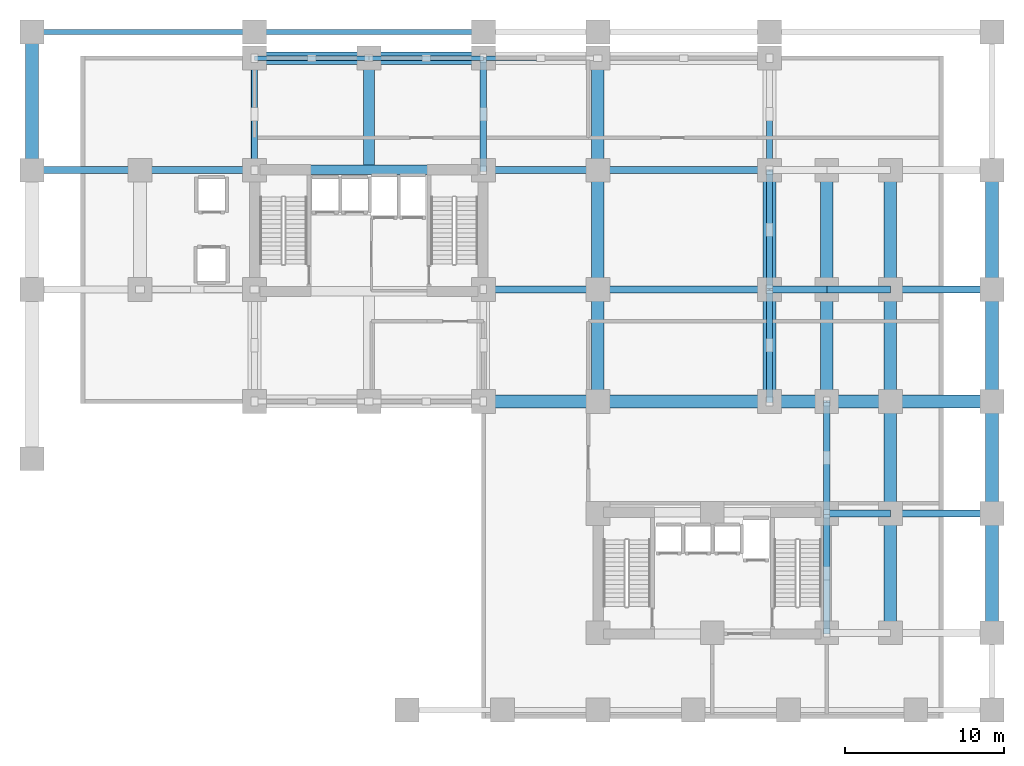
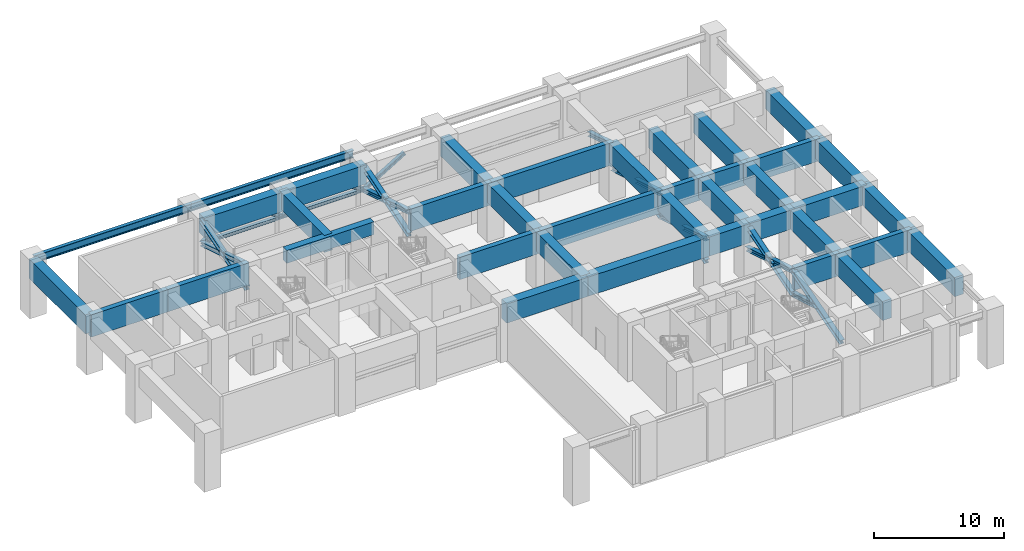
# One storey, part 2 of 9: 38 beams, 25 members.
"""IFC4 building model written with IfcOpenShell, lengths in metres."""

from ifc_helpers import new_model, si_unit, direction, frame, origin, origin_2d, place, context, subcontext, project, spatial, rectangle, i_section, extrude, source, transform, mapped, material, material_profile, profile_set, type_object, element, save


model = new_model("IFC4")

# Units and contexts
model_context = context("Model", 3, precision=1e-05, world=origin(), true_north=direction((0.0, 1.0)))
body_context = subcontext(model_context, "Body", "Model", "MODEL_VIEW")
ifc_project = project(units=[si_unit("LENGTHUNIT", "METRE"), si_unit("AREAUNIT", "SQUARE_METRE"), si_unit("VOLUMEUNIT", "CUBIC_METRE"), si_unit("PLANEANGLEUNIT", "RADIAN"), si_unit("MASSUNIT", "GRAM", prefix="KILO")], contexts=[model_context])

# Site, building, storey
site_placement = place(None, origin())
site = spatial("IfcSite", under=ifc_project, at=site_placement, CompositionType="ELEMENT")
building_placement = place(site_placement, origin())
building = spatial("IfcBuilding", under=site, at=building_placement, Name="Kaliganga Portal Commons", CompositionType="ELEMENT")
storey_placement = place(building_placement, frame((0.0, 0.0, 19.800048828125)))
storey = spatial("IfcBuildingStorey", under=building, at=storey_placement, Name="L04", CompositionType="ELEMENT", Elevation=19.800048828125)

# Beams
ifc_material_1 = material(Name="Concrete C60/75", Category="concrete")
ifc_material_profile_1 = material_profile(ifc_material_1, rectangle(XDim=0.60009765625, YDim=1.199951171875, at=origin_2d()), Name="RC 600x1200")
ifc_profile_set_1 = profile_set([ifc_material_profile_1], Name="Concrete C60/75")
beam_type_1 = type_object("IfcBeamType", Name="BM-CPL-1200", PredefinedType="LINTEL", material=ifc_profile_set_1)
shared_shape_1 = source(origin(), body_context, "Body", "SweptSolid", [
    extrude(rectangle(XDim=0.60009765625, YDim=1.199951171875, at=origin_2d()), origin(), (0.0, 0.0, 1.0), 7.739990234375),
])
beam_1_placement = place(storey_placement, frame((17.72998046875, 36.175048828125, 4.47998046875), z_axis=(1.0, 0.0, 0.0), x_axis=(0.0, 1.0, 0.0)))
element("IfcBeam", 1, at=beam_1_placement, inside=storey, type_object=beam_type_1, Name="BM CPL COREA L04 N", PredefinedType="LINTEL", context=body_context, shape_type="MappedRepresentation", body=[
    mapped(shared_shape_1, transform((0.0, 0.0, 0.0), x_axis=(1.0, 0.0, 0.0), y_axis=(0.0, 1.0, 0.0), z_axis=(0.0, 0.0, 1.0), scale=1.0)),
])
ifc_material_2 = material(Name="Structural steel S355J2", Category="steel")
ifc_material_profile_2 = material_profile(ifc_material_2, i_section(OverallWidth=0.300048828125, OverallDepth=0.699951171875, WebThickness=0.01708984375, FlangeThickness=0.031982421875, FilletRadius=0.027099609375, at=origin_2d()), Name="HE 700 B")
ifc_profile_set_2 = profile_set([ifc_material_profile_2], Name="Structural steel S355J2 wide-flange")
beam_type_2 = type_object("IfcBeamType", Name="BM-GIRD-700", PredefinedType="USERDEFINED", material=ifc_profile_set_2)
shared_shape_2 = source(origin(), body_context, "Body", "SweptSolid", [
    extrude(i_section(OverallWidth=0.300048828125, OverallDepth=0.699951171875, WebThickness=0.01708984375, FlangeThickness=0.031982421875, FilletRadius=0.027099609375, at=origin_2d()), origin(), (0.0, 0.0, 1.0), 14.0),
])
beam_2_placement = place(storey_placement, frame((0.39990234375, 44.85009765625, 4.93994140625), z_axis=(1.0, 0.0, 0.0), x_axis=(0.0, 1.0, 0.0)))
element("IfcBeam", 2, at=beam_2_placement, inside=storey, type_object=beam_type_2, Name="Transfer Girder BM XFER L04 N44 1", ObjectType="GIRDER", PredefinedType="USERDEFINED", context=body_context, shape_type="MappedRepresentation", body=[
    mapped(shared_shape_2, transform((0.0, 0.0, 0.0), x_axis=(1.0, 0.0, 0.0), y_axis=(0.0, 1.0, 0.0), z_axis=(0.0, 0.0, 1.0), scale=1.0)),
])
shared_shape_3 = source(origin(), body_context, "Body", "SweptSolid", [
    extrude(i_section(OverallWidth=0.300048828125, OverallDepth=0.699951171875, WebThickness=0.01708984375, FlangeThickness=0.031982421875, FilletRadius=0.027099609375, at=origin_2d()), origin(), (0.0, 0.0, 1.0), 14.400146484375),
])
beam_3_placement = place(storey_placement, frame((14.39990234375, 44.85009765625, 4.93994140625), z_axis=(1.0, 0.0, 0.0), x_axis=(0.0, 1.0, 0.0)))
element("IfcBeam", 3, at=beam_3_placement, inside=storey, type_object=beam_type_2, Name="Transfer Girder BM XFER L04 N44 2", ObjectType="GIRDER", PredefinedType="USERDEFINED", context=body_context, shape_type="MappedRepresentation", body=[
    mapped(shared_shape_3, transform((0.0, 0.0, 0.0), x_axis=(1.0, 0.0, 0.0), y_axis=(0.0, 1.0, 0.0), z_axis=(0.0, 0.0, 1.0), scale=1.0)),
])
ifc_material_3 = material(Name="Concrete C70/85", Category="concrete")
ifc_material_profile_3 = material_profile(ifc_material_3, rectangle(XDim=0.800048828125, YDim=1.800048828125, at=origin_2d()), Name="RC 800x1800")
ifc_profile_set_3 = profile_set([ifc_material_profile_3], Name="Concrete C70/85")
beam_type_3 = type_object("IfcBeamType", Name="BM-XFER-1800", PredefinedType="T_BEAM", material=ifc_profile_set_3)
shared_shape_4 = source(origin(), body_context, "Body", "SweptSolid", [
    extrude(rectangle(XDim=0.800048828125, YDim=1.800048828125, at=origin_2d()), origin(), (0.0, 0.0, 1.0), 7.2001953125),
])
beam_4_placement = place(storey_placement, frame((14.39990234375, 43.199951171875, 4.179931640625), z_axis=(1.0, 0.0, 0.0), x_axis=(0.0, 1.0, 0.0)))
element("IfcBeam", 4, at=beam_4_placement, inside=storey, type_object=beam_type_3, Name="Transfer Girder BM XFER L04 AN 1", PredefinedType="T_BEAM", context=body_context, shape_type="MappedRepresentation", body=[
    mapped(shared_shape_4, transform((0.0, 0.0, 0.0), x_axis=(1.0, 0.0, 0.0), y_axis=(0.0, 1.0, 0.0), z_axis=(0.0, 0.0, 1.0), scale=1.0)),
])
shared_shape_5 = source(origin(), body_context, "Body", "SweptSolid", [
    extrude(rectangle(XDim=0.800048828125, YDim=1.800048828125, at=origin_2d()), origin(), (0.0, 0.0, 1.0), 7.199951171875),
])
for number, where, z_axis, x_axis, name in (
    (5, (21.60009765625, 43.199951171875, 4.179931640625), (1.0, 0.0, 0.0), (0.0, 1.0, 0.0), "Transfer Girder BM XFER L04 AN 2"),
    (6, (28.800048828125, 21.60009765625, 4.179931640625), (1.0, 0.0, 0.0), (0.0, 1.0, 0.0), "Transfer Girder BM XFER L04 ASW 3"),
):
    element("IfcBeam", number, at=place(storey_placement, frame(where, z_axis=z_axis, x_axis=x_axis)), inside=storey, type_object=beam_type_3, Name=name, PredefinedType="T_BEAM", context=body_context, shape_type="MappedRepresentation", body=[
        mapped(shared_shape_5, transform((0.0, 0.0, 0.0), x_axis=(1.0, 0.0, 0.0), y_axis=(0.0, 1.0, 0.0), z_axis=(0.0, 0.0, 1.0), scale=1.0)),
    ])
shared_shape_6 = source(origin(), body_context, "Body", "SweptSolid", [
    extrude(rectangle(XDim=0.800048828125, YDim=1.800048828125, at=origin_2d()), origin(), (0.0, 0.0, 1.0), 10.800048828125),
])
beam_5_placement = place(storey_placement, frame((36.0, 21.60009765625, 4.179931640625), z_axis=(1.0, 0.0, 0.0), x_axis=(0.0, 1.0, 0.0)))
element("IfcBeam", 7, at=beam_5_placement, inside=storey, type_object=beam_type_3, Name="Transfer Girder BM XFER L04 ASE 1", PredefinedType="T_BEAM", context=body_context, shape_type="MappedRepresentation", body=[
    mapped(shared_shape_6, transform((0.0, 0.0, 0.0), x_axis=(1.0, 0.0, 0.0), y_axis=(0.0, 1.0, 0.0), z_axis=(0.0, 0.0, 1.0), scale=1.0)),
])
shared_shape_7 = source(origin(), body_context, "Body", "SweptSolid", [
    extrude(rectangle(XDim=0.800048828125, YDim=1.800048828125, at=origin_2d()), origin(), (0.0, 0.0, 1.0), 3.599853515625),
])
beam_6_placement = place(storey_placement, frame((46.800048828125, 21.60009765625, 4.179931640625), z_axis=(1.0, 0.0, 0.0), x_axis=(0.0, 1.0, 0.0)))
element("IfcBeam", 8, at=beam_6_placement, inside=storey, type_object=beam_type_3, Name="Transfer Girder BM XFER L04 ASE 2", PredefinedType="T_BEAM", context=body_context, shape_type="MappedRepresentation", body=[
    mapped(shared_shape_7, transform((0.0, 0.0, 0.0), x_axis=(1.0, 0.0, 0.0), y_axis=(0.0, 1.0, 0.0), z_axis=(0.0, 0.0, 1.0), scale=1.0)),
])
shared_shape_8 = source(origin(), body_context, "Body", "SweptSolid", [
    extrude(rectangle(XDim=0.800048828125, YDim=1.800048828125, at=origin_2d()), origin(), (0.0, 0.0, 1.0), 4.0),
])
beam_7_placement = place(storey_placement, frame((50.39990234375, 21.60009765625, 4.179931640625), z_axis=(1.0, 0.0, 0.0), x_axis=(0.0, 1.0, 0.0)))
element("IfcBeam", 9, at=beam_7_placement, inside=storey, type_object=beam_type_3, Name="Transfer Girder BM XFER L04 ASE 3", PredefinedType="T_BEAM", context=body_context, shape_type="MappedRepresentation", body=[
    mapped(shared_shape_8, transform((0.0, 0.0, 0.0), x_axis=(1.0, 0.0, 0.0), y_axis=(0.0, 1.0, 0.0), z_axis=(0.0, 0.0, 1.0), scale=1.0)),
])
shared_shape_9 = source(origin(), body_context, "Body", "SweptSolid", [
    extrude(rectangle(XDim=0.800048828125, YDim=1.800048828125, at=origin_2d()), origin(), (0.0, 0.0, 1.0), 6.400146484375),
])
beam_8_placement = place(storey_placement, frame((54.39990234375, 21.60009765625, 4.179931640625), z_axis=(1.0, 0.0, 0.0), x_axis=(0.0, 1.0, 0.0)))
element("IfcBeam", 10, at=beam_8_placement, inside=storey, type_object=beam_type_3, Name="Transfer Girder BM XFER L04 ASE 4", PredefinedType="T_BEAM", context=body_context, shape_type="MappedRepresentation", body=[
    mapped(shared_shape_9, transform((0.0, 0.0, 0.0), x_axis=(1.0, 0.0, 0.0), y_axis=(0.0, 1.0, 0.0), z_axis=(0.0, 0.0, 1.0), scale=1.0)),
])
ifc_material_profile_4 = material_profile(ifc_material_3, rectangle(XDim=0.43994140625, YDim=2.10009765625, at=origin_2d()), Name="RC 440x2100")
ifc_profile_set_4 = profile_set([ifc_material_profile_4], Name="Concrete C70/85")
beam_type_4 = type_object("IfcBeamType", Name="BM-XFER-SLIM", PredefinedType="T_BEAM", material=ifc_profile_set_4)
shared_shape_10 = source(origin(), body_context, "Body", "SweptSolid", [
    extrude(rectangle(XDim=0.43994140625, YDim=2.10009765625, at=origin_2d()), origin(), (0.0, 0.0, 1.0), 6.800048828125),
])
beam_9_placement = place(storey_placement, frame((0.39990234375, 36.14990234375, 4.030029296875), z_axis=(1.0, 0.0, 0.0), x_axis=(0.0, 1.0, 0.0)))
element("IfcBeam", 11, at=beam_9_placement, inside=storey, type_object=beam_type_4, Name="Transfer Girder BM XFER L04 WW2 1", PredefinedType="T_BEAM", context=body_context, shape_type="MappedRepresentation", body=[
    mapped(shared_shape_10, transform((0.0, 0.0, 0.0), x_axis=(1.0, 0.0, 0.0), y_axis=(0.0, 1.0, 0.0), z_axis=(0.0, 0.0, 1.0), scale=1.0)),
])
shared_shape_11 = source(origin(), body_context, "Body", "SweptSolid", [
    extrude(rectangle(XDim=0.43994140625, YDim=2.10009765625, at=origin_2d()), origin(), (0.0, 0.0, 1.0), 7.199951171875),
])
for number, where, z_axis, x_axis, name in (
    (12, (28.800048828125, 28.64990234375, 4.030029296875), (1.0, 0.0, 0.0), (0.0, 1.0, 0.0), "Transfer Girder BM XFER L04 WE1 1"),
    (13, (7.199951171875, 36.14990234375, 4.030029296875), (1.0, 0.0, 0.0), (0.0, 1.0, 0.0), "Transfer Girder BM XFER L04 WW2 2"),
    (14, (28.800048828125, 36.14990234375, 4.030029296875), (1.0, 0.0, 0.0), (0.0, 1.0, 0.0), "Transfer Girder BM XFER L04 WE2 1"),
):
    element("IfcBeam", number, at=place(storey_placement, frame(where, z_axis=z_axis, x_axis=x_axis)), inside=storey, type_object=beam_type_4, Name=name, PredefinedType="T_BEAM", context=body_context, shape_type="MappedRepresentation", body=[
        mapped(shared_shape_11, transform((0.0, 0.0, 0.0), x_axis=(1.0, 0.0, 0.0), y_axis=(0.0, 1.0, 0.0), z_axis=(0.0, 0.0, 1.0), scale=1.0)),
    ])
shared_shape_12 = source(origin(), body_context, "Body", "SweptSolid", [
    extrude(rectangle(XDim=0.43994140625, YDim=2.10009765625, at=origin_2d()), origin(), (0.0, 0.0, 1.0), 10.800048828125),
])
for number, where, z_axis, x_axis, name in (
    (15, (36.0, 28.64990234375, 4.030029296875), (1.0, 0.0, 0.0), (0.0, 1.0, 0.0), "Transfer Girder BM XFER L04 WE1 2"),
    (16, (36.0, 36.14990234375, 4.030029296875), (1.0, 0.0, 0.0), (0.0, 1.0, 0.0), "Transfer Girder BM XFER L04 WE2 2"),
):
    element("IfcBeam", number, at=place(storey_placement, frame(where, z_axis=z_axis, x_axis=x_axis)), inside=storey, type_object=beam_type_4, Name=name, PredefinedType="T_BEAM", context=body_context, shape_type="MappedRepresentation", body=[
        mapped(shared_shape_12, transform((0.0, 0.0, 0.0), x_axis=(1.0, 0.0, 0.0), y_axis=(0.0, 1.0, 0.0), z_axis=(0.0, 0.0, 1.0), scale=1.0)),
    ])
shared_shape_13 = source(origin(), body_context, "Body", "SweptSolid", [
    extrude(rectangle(XDim=0.43994140625, YDim=2.10009765625, at=origin_2d()), origin(), (0.0, 0.0, 1.0), 3.599853515625),
])
beam_10_placement = place(storey_placement, frame((46.800048828125, 28.64990234375, 4.030029296875), z_axis=(1.0, 0.0, 0.0), x_axis=(0.0, 1.0, 0.0)))
element("IfcBeam", 17, at=beam_10_placement, inside=storey, type_object=beam_type_4, Name="Transfer Girder BM XFER L04 WE1 3", PredefinedType="T_BEAM", context=body_context, shape_type="MappedRepresentation", body=[
    mapped(shared_shape_13, transform((0.0, 0.0, 0.0), x_axis=(1.0, 0.0, 0.0), y_axis=(0.0, 1.0, 0.0), z_axis=(0.0, 0.0, 1.0), scale=1.0)),
])
shared_shape_14 = source(origin(), body_context, "Body", "SweptSolid", [
    extrude(rectangle(XDim=0.43994140625, YDim=2.10009765625, at=origin_2d()), origin(), (0.0, 0.0, 1.0), 4.0),
])
for number, where, z_axis, x_axis, name in (
    (18, (50.39990234375, 28.64990234375, 4.030029296875), (1.0, 0.0, 0.0), (0.0, 1.0, 0.0), "Transfer Girder BM XFER L04 WE1 4"),
    (19, (50.39990234375, 14.550048828125, 4.030029296875), (1.0, 0.0, 0.0), (0.0, 1.0, 0.0), "Transfer Girder BM XFER L04 WB2 1"),
):
    element("IfcBeam", number, at=place(storey_placement, frame(where, z_axis=z_axis, x_axis=x_axis)), inside=storey, type_object=beam_type_4, Name=name, PredefinedType="T_BEAM", context=body_context, shape_type="MappedRepresentation", body=[
        mapped(shared_shape_14, transform((0.0, 0.0, 0.0), x_axis=(1.0, 0.0, 0.0), y_axis=(0.0, 1.0, 0.0), z_axis=(0.0, 0.0, 1.0), scale=1.0)),
    ])
shared_shape_15 = source(origin(), body_context, "Body", "SweptSolid", [
    extrude(rectangle(XDim=0.43994140625, YDim=2.10009765625, at=origin_2d()), origin(), (0.0, 0.0, 1.0), 6.400146484375),
])
for number, where, z_axis, x_axis, name in (
    (20, (54.39990234375, 28.64990234375, 4.030029296875), (1.0, 0.0, 0.0), (0.0, 1.0, 0.0), "Transfer Girder BM XFER L04 WE1 5"),
    (21, (54.39990234375, 14.550048828125, 4.030029296875), (1.0, 0.0, 0.0), (0.0, 1.0, 0.0), "Transfer Girder BM XFER L04 WB2 2"),
):
    element("IfcBeam", number, at=place(storey_placement, frame(where, z_axis=z_axis, x_axis=x_axis)), inside=storey, type_object=beam_type_4, Name=name, PredefinedType="T_BEAM", context=body_context, shape_type="MappedRepresentation", body=[
        mapped(shared_shape_15, transform((0.0, 0.0, 0.0), x_axis=(1.0, 0.0, 0.0), y_axis=(0.0, 1.0, 0.0), z_axis=(0.0, 0.0, 1.0), scale=1.0)),
    ])
ifc_material_profile_5 = material_profile(ifc_material_1, rectangle(XDim=0.699951171875, YDim=1.60009765625, at=origin_2d()), Name="RC 700x1600")
ifc_profile_set_5 = profile_set([ifc_material_profile_5], Name="Concrete C60/75")
beam_type_5 = type_object("IfcBeamType", Name="BM-XFER-1600", PredefinedType="T_BEAM", material=ifc_profile_set_5)
shared_shape_16 = source(origin(), body_context, "Body", "SweptSolid", [
    extrude(rectangle(XDim=0.699951171875, YDim=1.60009765625, at=origin_2d()), origin(), (0.0, 0.0, 1.0), 7.02490234375),
])
beam_11_placement = place(storey_placement, frame((21.60009765625, 36.175048828125, 4.280029296875), z_axis=(0.0, 1.0, 0.0), x_axis=(-1.0, 0.0, 0.0)))
element("IfcBeam", 22, at=beam_11_placement, inside=storey, type_object=beam_type_5, Name="Transfer Girder BM XFER L04 CAN216", PredefinedType="T_BEAM", context=body_context, shape_type="MappedRepresentation", body=[
    mapped(shared_shape_16, transform((0.0, 0.0, 0.0), x_axis=(1.0, 0.0, 0.0), y_axis=(0.0, 1.0, 0.0), z_axis=(0.0, 0.0, 1.0), scale=1.0)),
])
shared_shape_17 = source(origin(), body_context, "Body", "SweptSolid", [
    extrude(rectangle(XDim=0.800048828125, YDim=1.800048828125, at=origin_2d()), origin(), (0.0, 0.0, 1.0), 7.5),
])
for number, where, z_axis, x_axis, name in (
    (23, (36.0, 28.64990234375, 4.179931640625), (0.0, 1.0, 0.0), (-1.0, 0.0, 0.0), "Transfer Girder BM XFER L04 NS360 4"),
    (24, (46.800048828125, 28.64990234375, 4.179931640625), (0.0, 1.0, 0.0), (-1.0, 0.0, 0.0), "Transfer Girder BM XFER L04 NS468 2"),
    (25, (50.39990234375, 28.64990234375, 4.179931640625), (0.0, 1.0, 0.0), (-1.0, 0.0, 0.0), "Transfer Girder BM XFER L04 NS504 4"),
    (26, (54.39990234375, 7.050048828125, 4.179931640625), (0.0, 1.0, 0.0), (-1.0, 0.0, 0.0), "Transfer Girder BM XFER L04 NS544 1"),
    (27, (54.39990234375, 28.64990234375, 4.179931640625), (0.0, 1.0, 0.0), (-1.0, 0.0, 0.0), "Transfer Girder BM XFER L04 NS544 4"),
    (28, (60.800048828125, 7.050048828125, 4.179931640625), (0.0, 1.0, 0.0), (-1.0, 0.0, 0.0), "Transfer Girder BM XFER L04 NS608 1"),
    (29, (60.800048828125, 28.64990234375, 4.179931640625), (0.0, 1.0, 0.0), (-1.0, 0.0, 0.0), "Transfer Girder BM XFER L04 NS608 4"),
):
    element("IfcBeam", number, at=place(storey_placement, frame(where, z_axis=z_axis, x_axis=x_axis)), inside=storey, type_object=beam_type_3, Name=name, PredefinedType="T_BEAM", context=body_context, shape_type="MappedRepresentation", body=[
        mapped(shared_shape_17, transform((0.0, 0.0, 0.0), x_axis=(1.0, 0.0, 0.0), y_axis=(0.0, 1.0, 0.0), z_axis=(0.0, 0.0, 1.0), scale=1.0)),
    ])
shared_shape_18 = source(origin(), body_context, "Body", "SweptSolid", [
    extrude(rectangle(XDim=0.800048828125, YDim=1.800048828125, at=origin_2d()), origin(), (0.0, 0.0, 1.0), 7.0498046875),
])
for number, where, z_axis, x_axis, name in (
    (30, (36.0, 21.60009765625, 4.179931640625), (0.0, 1.0, 0.0), (-1.0, 0.0, 0.0), "Transfer Girder BM XFER L04 NS360 3"),
    (31, (46.800048828125, 21.60009765625, 4.179931640625), (0.0, 1.0, 0.0), (-1.0, 0.0, 0.0), "Transfer Girder BM XFER L04 NS468 1"),
    (32, (50.39990234375, 21.60009765625, 4.179931640625), (0.0, 1.0, 0.0), (-1.0, 0.0, 0.0), "Transfer Girder BM XFER L04 NS504 3"),
    (33, (54.39990234375, 21.60009765625, 4.179931640625), (0.0, 1.0, 0.0), (-1.0, 0.0, 0.0), "Transfer Girder BM XFER L04 NS544 3"),
    (34, (60.800048828125, 21.60009765625, 4.179931640625), (0.0, 1.0, 0.0), (-1.0, 0.0, 0.0), "Transfer Girder BM XFER L04 NS608 3"),
):
    element("IfcBeam", number, at=place(storey_placement, frame(where, z_axis=z_axis, x_axis=x_axis)), inside=storey, type_object=beam_type_3, Name=name, PredefinedType="T_BEAM", context=body_context, shape_type="MappedRepresentation", body=[
        mapped(shared_shape_18, transform((0.0, 0.0, 0.0), x_axis=(1.0, 0.0, 0.0), y_axis=(0.0, 1.0, 0.0), z_axis=(0.0, 0.0, 1.0), scale=1.0)),
    ])
shared_shape_19 = source(origin(), body_context, "Body", "SweptSolid", [
    extrude(rectangle(XDim=0.800048828125, YDim=1.800048828125, at=origin_2d()), origin(), (0.0, 0.0, 1.0), 7.050048828125),
])
for number, where, z_axis, x_axis, name in (
    (35, (36.0, 36.14990234375, 4.179931640625), (0.0, 1.0, 0.0), (-1.0, 0.0, 0.0), "Transfer Girder BM XFER L04 NS360 5"),
    (36, (54.39990234375, 14.550048828125, 4.179931640625), (0.0, 1.0, 0.0), (-1.0, 0.0, 0.0), "Transfer Girder BM XFER L04 NS544 2"),
    (37, (60.800048828125, 14.550048828125, 4.179931640625), (0.0, 1.0, 0.0), (-1.0, 0.0, 0.0), "Transfer Girder BM XFER L04 NS608 2"),
):
    element("IfcBeam", number, at=place(storey_placement, frame(where, z_axis=z_axis, x_axis=x_axis)), inside=storey, type_object=beam_type_3, Name=name, PredefinedType="T_BEAM", context=body_context, shape_type="MappedRepresentation", body=[
        mapped(shared_shape_19, transform((0.0, 0.0, 0.0), x_axis=(1.0, 0.0, 0.0), y_axis=(0.0, 1.0, 0.0), z_axis=(0.0, 0.0, 1.0), scale=1.0)),
    ])
shared_shape_20 = source(origin(), body_context, "Body", "SweptSolid", [
    extrude(rectangle(XDim=0.800048828125, YDim=1.800048828125, at=origin_2d()), origin(), (0.0, 0.0, 1.0), 8.7001953125),
])
beam_12_placement = place(storey_placement, frame((0.39990234375, 36.14990234375, 4.179931640625), z_axis=(0.0, 1.0, 0.0), x_axis=(-1.0, 0.0, 0.0)))
element("IfcBeam", 38, at=beam_12_placement, inside=storey, type_object=beam_type_3, Name="Transfer Girder BM XFER L04 NS4 3", PredefinedType="T_BEAM", context=body_context, shape_type="MappedRepresentation", body=[
    mapped(shared_shape_20, transform((0.0, 0.0, 0.0), x_axis=(1.0, 0.0, 0.0), y_axis=(0.0, 1.0, 0.0), z_axis=(0.0, 0.0, 1.0), scale=1.0)),
])

# Members
ifc_material_4 = material(Name="Structural steel S460M", Category="steel")
ifc_material_profile_6 = material_profile(ifc_material_4, i_section(OverallWidth=0.412109375, OverallDepth=0.43798828125, WebThickness=0.02685546875, FlangeThickness=0.03662109375, FilletRadius=0.014892578125, at=origin_2d()), Name="HD 400x463")
ifc_profile_set_6 = profile_set([ifc_material_profile_6], Name="Structural steel S460M wide-flange")
member_type_1 = type_object("IfcMemberType", Name="MBR-OUTRIG-509", PredefinedType="USERDEFINED", material=ifc_profile_set_6)
shared_shape_21 = source(origin(), body_context, "Body", "SweptSolid", [
    extrude(i_section(OverallWidth=0.412109375, OverallDepth=0.43798828125, WebThickness=0.02685546875, FlangeThickness=0.03662109375, FilletRadius=0.014892578125, at=origin_2d()), origin(), (0.0, 0.0, 1.0), 7.379150390625),
])
member_1_placement = place(storey_placement, frame((46.800048828125, 21.60009765625, 2.550048828125), z_axis=(0.0, 0.955368181548, 0.29541773421), x_axis=(-1.0, 0.0, 0.0)))
element("IfcMember", 39, at=member_1_placement, inside=storey, type_object=member_type_1, Name="Outrigger Strut OT-L04-06A", ObjectType="OUTRIGGER", PredefinedType="USERDEFINED", context=body_context, shape_type="MappedRepresentation", body=[
    mapped(shared_shape_21, transform((0.0, 0.0, 0.0), x_axis=(1.0, 0.0, 0.0), y_axis=(0.0, 1.0, 0.0), z_axis=(0.0, 0.0, 1.0), scale=1.0)),
])
ifc_material_profile_7 = material_profile(ifc_material_4, i_section(OverallWidth=0.39794921875, OverallDepth=0.39404296875, WebThickness=0.01611328125, FlangeThickness=0.021484375, FilletRadius=0.014892578125, at=origin_2d()), Name="HD 400x262")
ifc_profile_set_7 = profile_set([ifc_material_profile_7], Name="Structural steel S460M wide-flange")
member_type_2 = type_object("IfcMemberType", Name="MBR-XFER-DIAG", PredefinedType="BRACE", material=ifc_profile_set_7)
shared_shape_22 = source(origin(), body_context, "Body", "SweptSolid", [
    extrude(i_section(OverallWidth=0.39794921875, OverallDepth=0.39404296875, WebThickness=0.01611328125, FlangeThickness=0.021484375, FilletRadius=0.014892578125, at=origin_2d()), origin(), (0.0, 0.0, 1.0), 3.689697265625),
])
for number, where, z_axis, x_axis, name in (
    (40, (46.800048828125, 21.60009765625, 4.72998046875), (0.0, 0.955358843437, -0.295447931566), (-1.0, 0.0, 0.0), "Podium Transfer Truss Diagonal PTD-L04-06B1"),
    (41, (50.39990234375, 14.550048828125, 4.72998046875), (0.0, 0.955358843437, -0.295447931566), (-1.0, 0.0, 0.0), "Podium Transfer Truss Diagonal PTD-L04-10B1"),
    (42, (50.39990234375, 18.074951171875, 3.639892578125), (0.0, 0.955383292014, -0.295368863187), (-1.0, 0.0, 0.0), "Podium Transfer Truss Diagonal PTD-L04-10B2"),
):
    element("IfcMember", number, at=place(storey_placement, frame(where, z_axis=z_axis, x_axis=x_axis)), inside=storey, type_object=member_type_2, Name=name, PredefinedType="BRACE", context=body_context, shape_type="MappedRepresentation", body=[
        mapped(shared_shape_22, transform((0.0, 0.0, 0.0), x_axis=(1.0, 0.0, 0.0), y_axis=(0.0, 1.0, 0.0), z_axis=(0.0, 0.0, 1.0), scale=1.0)),
    ])
shared_shape_23 = source(origin(), body_context, "Body", "SweptSolid", [
    extrude(i_section(OverallWidth=0.39794921875, OverallDepth=0.39404296875, WebThickness=0.01611328125, FlangeThickness=0.021484375, FilletRadius=0.014892578125, at=origin_2d()), origin(), (0.0, 0.0, 1.0), 3.689453125),
])
for number, where, z_axis, x_axis, name in (
    (43, (14.39990234375, 39.675048828125, 3.639892578125), (0.0, 0.955377518887, -0.295387535968), (-1.0, 0.0, 0.0), "Podium Transfer Truss Diagonal PTD-L04-04B2"),
    (44, (28.800048828125, 39.675048828125, 3.639892578125), (0.0, 0.955377518887, -0.295387535968), (-1.0, 0.0, 0.0), "Podium Transfer Truss Diagonal PTD-L04-05B2"),
    (45, (46.800048828125, 25.125, 3.639892578125), (0.0, 0.955377518887, -0.295387535968), (-1.0, 0.0, 0.0), "Podium Transfer Truss Diagonal PTD-L04-06B2"),
):
    element("IfcMember", number, at=place(storey_placement, frame(where, z_axis=z_axis, x_axis=x_axis)), inside=storey, type_object=member_type_2, Name=name, PredefinedType="BRACE", context=body_context, shape_type="MappedRepresentation", body=[
        mapped(shared_shape_23, transform((0.0, 0.0, 0.0), x_axis=(1.0, 0.0, 0.0), y_axis=(0.0, 1.0, 0.0), z_axis=(0.0, 0.0, 1.0), scale=1.0)),
    ])
shared_shape_24 = source(origin(), body_context, "Body", "SweptSolid", [
    extrude(i_section(OverallWidth=0.412109375, OverallDepth=0.43798828125, WebThickness=0.02685546875, FlangeThickness=0.03662109375, FilletRadius=0.014892578125, at=origin_2d()), origin(), (0.0, 0.0, 1.0), 7.37939453125),
])
for number, where, z_axis, x_axis, name in (
    (46, (14.39990234375, 36.14990234375, 2.550048828125), (0.0, 0.955371068811, 0.295408396766), (-1.0, 0.0, 0.0), "Outrigger Strut OT-L04-04A"),
    (47, (28.800048828125, 36.14990234375, 2.550048828125), (0.0, 0.955371068811, 0.295408396766), (-1.0, 0.0, 0.0), "Outrigger Strut OT-L04-05A"),
    (48, (50.39990234375, 14.550048828125, 2.550048828125), (0.0, 0.955371068811, 0.295408396766), (-1.0, 0.0, 0.0), "Outrigger Strut OT-L04-10A"),
):
    element("IfcMember", number, at=place(storey_placement, frame(where, z_axis=z_axis, x_axis=x_axis)), inside=storey, type_object=member_type_1, Name=name, ObjectType="OUTRIGGER", PredefinedType="USERDEFINED", context=body_context, shape_type="MappedRepresentation", body=[
        mapped(shared_shape_24, transform((0.0, 0.0, 0.0), x_axis=(1.0, 0.0, 0.0), y_axis=(0.0, 1.0, 0.0), z_axis=(0.0, 0.0, 1.0), scale=1.0)),
    ])
shared_shape_25 = source(origin(), body_context, "Body", "SweptSolid", [
    extrude(i_section(OverallWidth=0.39794921875, OverallDepth=0.39404296875, WebThickness=0.01611328125, FlangeThickness=0.021484375, FilletRadius=0.014892578125, at=origin_2d()), origin(), (0.0, 0.0, 1.0), 3.68994140625),
])
for number, where, z_axis, x_axis, name in (
    (49, (14.39990234375, 36.14990234375, 4.72998046875), (0.0, 0.955364618813, -0.295429255696), (-1.0, 0.0, 0.0), "Podium Transfer Truss Diagonal PTD-L04-04B1"),
    (50, (28.800048828125, 36.14990234375, 4.72998046875), (0.0, 0.955364618813, -0.295429255696), (-1.0, 0.0, 0.0), "Podium Transfer Truss Diagonal PTD-L04-05B1"),
    (51, (46.800048828125, 36.14990234375, 4.72998046875), (0.0, 0.955364618813, -0.295429255696), (-1.0, 0.0, 0.0), "Podium Transfer Truss Diagonal PTD-L04-08B1"),
):
    element("IfcMember", number, at=place(storey_placement, frame(where, z_axis=z_axis, x_axis=x_axis)), inside=storey, type_object=member_type_2, Name=name, PredefinedType="BRACE", context=body_context, shape_type="MappedRepresentation", body=[
        mapped(shared_shape_25, transform((0.0, 0.0, 0.0), x_axis=(1.0, 0.0, 0.0), y_axis=(0.0, 1.0, 0.0), z_axis=(0.0, 0.0, 1.0), scale=1.0)),
    ])
shared_shape_26 = source(origin(), body_context, "Body", "SweptSolid", [
    extrude(i_section(OverallWidth=0.412109375, OverallDepth=0.43798828125, WebThickness=0.02685546875, FlangeThickness=0.03662109375, FilletRadius=0.014892578125, at=origin_2d()), origin(), (0.0, 0.0, 1.0), 7.810302734375),
])
for number, where, z_axis, x_axis, name in (
    (52, (46.800048828125, 28.64990234375, 2.550048828125), (0.0, 0.960260055163, 0.279106836997), (-1.0, 0.0, 0.0), "Outrigger Strut OT-L04-07A"),
    (53, (50.39990234375, 7.050048828125, 2.550048828125), (0.0, 0.960260055163, 0.279106836997), (-1.0, 0.0, 0.0), "Outrigger Strut OT-L04-09A"),
):
    element("IfcMember", number, at=place(storey_placement, frame(where, z_axis=z_axis, x_axis=x_axis)), inside=storey, type_object=member_type_1, Name=name, ObjectType="OUTRIGGER", PredefinedType="USERDEFINED", context=body_context, shape_type="MappedRepresentation", body=[
        mapped(shared_shape_26, transform((0.0, 0.0, 0.0), x_axis=(1.0, 0.0, 0.0), y_axis=(0.0, 1.0, 0.0), z_axis=(0.0, 0.0, 1.0), scale=1.0)),
    ])
shared_shape_27 = source(origin(), body_context, "Body", "SweptSolid", [
    extrude(i_section(OverallWidth=0.39794921875, OverallDepth=0.39404296875, WebThickness=0.01611328125, FlangeThickness=0.021484375, FilletRadius=0.014892578125, at=origin_2d()), origin(), (0.0, 0.0, 1.0), 3.9052734375),
])
for number, where, z_axis, x_axis, name in (
    (54, (46.800048828125, 28.64990234375, 4.72998046875), (0.0, 0.960251677061, -0.279135660031), (-1.0, 0.0, 0.0), "Podium Transfer Truss Diagonal PTD-L04-07B1"),
    (55, (46.800048828125, 32.39990234375, 3.639892578125), (0.0, 0.960268432546, -0.279078013209), (-1.0, 0.0, 0.0), "Podium Transfer Truss Diagonal PTD-L04-07B2"),
    (56, (50.39990234375, 10.800048828125, 3.639892578125), (0.0, 0.960268432546, -0.279078013209), (-1.0, 0.0, 0.0), "Podium Transfer Truss Diagonal PTD-L04-09B2"),
):
    element("IfcMember", number, at=place(storey_placement, frame(where, z_axis=z_axis, x_axis=x_axis)), inside=storey, type_object=member_type_2, Name=name, PredefinedType="BRACE", context=body_context, shape_type="MappedRepresentation", body=[
        mapped(shared_shape_27, transform((0.0, 0.0, 0.0), x_axis=(1.0, 0.0, 0.0), y_axis=(0.0, 1.0, 0.0), z_axis=(0.0, 0.0, 1.0), scale=1.0)),
    ])
ifc_material_profile_8 = material_profile(ifc_material_4, i_section(OverallWidth=0.300048828125, OverallDepth=0.2900390625, WebThickness=0.008544921875, FlangeThickness=0.013916015625, FilletRadius=0.027099609375, at=origin_2d()), Name="HE 300 A")
ifc_profile_set_8 = profile_set([ifc_material_profile_8], Name="Structural steel S460M wide-flange")
member_type_3 = type_object("IfcMemberType", Name="MBR-CHORD-300A", PredefinedType="CHORD", material=ifc_profile_set_8)
shared_shape_28 = source(origin(), body_context, "Body", "SweptSolid", [
    extrude(i_section(OverallWidth=0.300048828125, OverallDepth=0.2900390625, WebThickness=0.008544921875, FlangeThickness=0.013916015625, FilletRadius=0.027099609375, at=origin_2d()), origin(), (0.0, 0.0, 1.0), 7.2001953125),
])
member_2_placement = place(storey_placement, frame((14.39990234375, 43.199951171875, 2.550048828125), z_axis=(1.0, 0.0, 0.0), x_axis=(0.0, 1.0, 0.0)))
element("IfcMember", 57, at=member_2_placement, inside=storey, type_object=member_type_3, Name="Belt Truss Bottom Chord CHD-L04-01", PredefinedType="CHORD", context=body_context, shape_type="MappedRepresentation", body=[
    mapped(shared_shape_28, transform((0.0, 0.0, 0.0), x_axis=(1.0, 0.0, 0.0), y_axis=(0.0, 1.0, 0.0), z_axis=(0.0, 0.0, 1.0), scale=1.0)),
])
ifc_material_profile_9 = material_profile(ifc_material_4, i_section(OverallWidth=0.300048828125, OverallDepth=0.300048828125, WebThickness=0.010986328125, FlangeThickness=0.01904296875, FilletRadius=0.027099609375, at=origin_2d()), Name="HE 300 B")
ifc_profile_set_9 = profile_set([ifc_material_profile_9], Name="Structural steel S460M wide-flange")
member_type_4 = type_object("IfcMemberType", Name="MBR-BELT-300", PredefinedType="BRACE", material=ifc_profile_set_9)
shared_shape_29 = source(origin(), body_context, "Body", "SweptSolid", [
    extrude(i_section(OverallWidth=0.300048828125, OverallDepth=0.300048828125, WebThickness=0.010986328125, FlangeThickness=0.01904296875, FilletRadius=0.027099609375, at=origin_2d()), origin(), (0.0, 0.0, 1.0), 4.208740234375),
])
for number, where, z_axis, x_axis, name in (
    (58, (14.39990234375, 43.199951171875, 2.550048828125), (0.855402686165, 0.0, 0.517963555186), (0.0, 1.0, 0.0), "Belt Truss Diagonal BT-L04-01L"),
    (59, (21.60009765625, 43.199951171875, 2.550048828125), (-0.855402686165, 0.0, 0.517963555186), (0.0, -1.0, 0.0), "Belt Truss Diagonal BT-L04-01R"),
    (60, (28.800048828125, 43.199951171875, 2.550048828125), (-0.855402686165, 0.0, 0.517963555186), (0.0, -1.0, 0.0), "Belt Truss Diagonal BT-L04-02R"),
):
    element("IfcMember", number, at=place(storey_placement, frame(where, z_axis=z_axis, x_axis=x_axis)), inside=storey, type_object=member_type_4, Name=name, PredefinedType="BRACE", context=body_context, shape_type="MappedRepresentation", body=[
        mapped(shared_shape_29, transform((0.0, 0.0, 0.0), x_axis=(1.0, 0.0, 0.0), y_axis=(0.0, 1.0, 0.0), z_axis=(0.0, 0.0, 1.0), scale=1.0)),
    ])
shared_shape_30 = source(origin(), body_context, "Body", "SweptSolid", [
    extrude(i_section(OverallWidth=0.300048828125, OverallDepth=0.2900390625, WebThickness=0.008544921875, FlangeThickness=0.013916015625, FilletRadius=0.027099609375, at=origin_2d()), origin(), (0.0, 0.0, 1.0), 7.199951171875),
])
member_3_placement = place(storey_placement, frame((21.60009765625, 43.199951171875, 2.550048828125), z_axis=(1.0, 0.0, 0.0), x_axis=(0.0, 1.0, 0.0)))
element("IfcMember", 61, at=member_3_placement, inside=storey, type_object=member_type_3, Name="Belt Truss Bottom Chord CHD-L04-02", PredefinedType="CHORD", context=body_context, shape_type="MappedRepresentation", body=[
    mapped(shared_shape_30, transform((0.0, 0.0, 0.0), x_axis=(1.0, 0.0, 0.0), y_axis=(0.0, 1.0, 0.0), z_axis=(0.0, 0.0, 1.0), scale=1.0)),
])
shared_shape_31 = source(origin(), body_context, "Body", "SweptSolid", [
    extrude(i_section(OverallWidth=0.300048828125, OverallDepth=0.300048828125, WebThickness=0.010986328125, FlangeThickness=0.01904296875, FilletRadius=0.027099609375, at=origin_2d()), origin(), (0.0, 0.0, 1.0), 4.20849609375),
])
for number, where, z_axis, x_axis, name in (
    (62, (21.60009765625, 43.199951171875, 2.550048828125), (0.855387121954, 0.0, 0.517989258185), (0.0, 1.0, 0.0), "Belt Truss Diagonal BT-L04-02L"),
    (63, (28.800048828125, 43.199951171875, 2.550048828125), (0.855387121954, 0.0, 0.517989258185), (0.0, 1.0, 0.0), "Belt Truss Diagonal BT-L04-03L"),
):
    element("IfcMember", number, at=place(storey_placement, frame(where, z_axis=z_axis, x_axis=x_axis)), inside=storey, type_object=member_type_4, Name=name, PredefinedType="BRACE", context=body_context, shape_type="MappedRepresentation", body=[
        mapped(shared_shape_31, transform((0.0, 0.0, 0.0), x_axis=(1.0, 0.0, 0.0), y_axis=(0.0, 1.0, 0.0), z_axis=(0.0, 0.0, 1.0), scale=1.0)),
    ])

save(model, "model.ifc")
